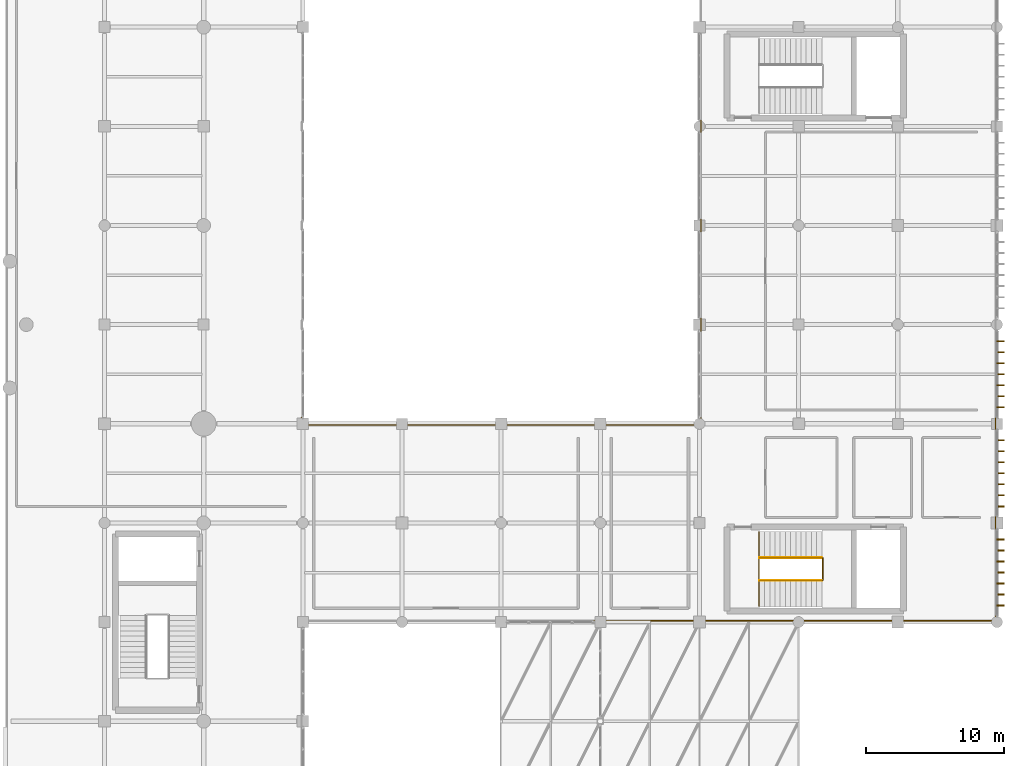
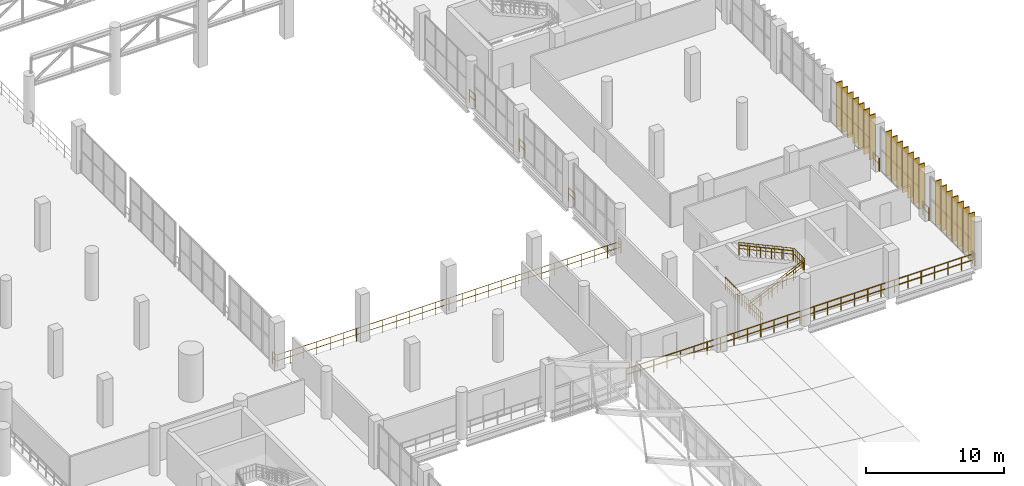
# One storey, part 151 of 153: 21 coverings, 13 railings.
"""IFC4 building model written with IfcOpenShell, lengths in metres."""

from ifc_helpers import new_model, si_unit, direction, frame, origin, origin_2d, place, context, subcontext, project, spatial, rectangle, circle, extrude, material, layer, layer_set, type_object, element, save


model = new_model("IFC4")

# Units and contexts
model_context = context("Model", 3, precision=1e-05, world=origin(), true_north=direction((0.0, 1.0)))
body_context = subcontext(model_context, "Body", "Model", "MODEL_VIEW")
ifc_project = project(units=[si_unit("LENGTHUNIT", "METRE"), si_unit("AREAUNIT", "SQUARE_METRE"), si_unit("VOLUMEUNIT", "CUBIC_METRE"), si_unit("PLANEANGLEUNIT", "RADIAN"), si_unit("MASSUNIT", "GRAM", prefix="KILO")], contexts=[model_context])

# Site, building, storey
site_placement = place(None, origin())
site = spatial("IfcSite", under=ifc_project, at=site_placement, CompositionType="ELEMENT")
building_placement = place(site_placement, origin())
building = spatial("IfcBuilding", under=site, at=building_placement, Name="Qandorah Velis Arena", CompositionType="ELEMENT")
storey_placement = place(building_placement, frame((0.0, 0.0, 5.39990234375)))
storey = spatial("IfcBuildingStorey", under=building, at=storey_placement, Name="L01", CompositionType="ELEMENT", Elevation=5.39990234375)

# Coverings
ifc_material_1 = material(Name="Champagne-bronze anodized aluminium 6063-T6", Category="aluminium")
ifc_layer = layer(ifc_material_1, 0.0849609375)
ifc_layer_set = layer_set([ifc_layer], Name="Champagne-bronze anodized aluminium 6063-T6")
covering_type = type_object("IfcCoveringType", Name="ARC-COV-FIN520", PredefinedType="CLADDING", material=ifc_layer_set)
for number, where, z_axis, x_axis, name in (
    (1, (173.052001953125, 44.39990234375, -0.009765625), (0.0, 0.0, 1.0), (1.0, 0.0, 0.0), "Vertical champagne-bronze solar fin blade WNG-E-L01-00-001"),
    (2, (173.052001953125, 45.199951171875, -0.009765625), (0.0, 0.0, 1.0), (1.0, 0.0, 0.0), "Vertical champagne-bronze solar fin blade WNG-E-L01-00-002"),
    (3, (173.052001953125, 46.0, -0.009765625), (0.0, 0.0, 1.0), (1.0, 0.0, 0.0), "Vertical champagne-bronze solar fin blade WNG-E-L01-00-003"),
    (4, (173.052001953125, 46.800048828125, -0.009765625), (0.0, 0.0, 1.0), (1.0, 0.0, 0.0), "Vertical champagne-bronze solar fin blade WNG-E-L01-00-004"),
    (5, (173.052001953125, 47.60009765625, -0.009765625), (0.0, 0.0, 1.0), (1.0, 0.0, 0.0), "Vertical champagne-bronze solar fin blade WNG-E-L01-00-005"),
    (6, (173.052001953125, 48.39990234375, -0.009765625), (0.0, 0.0, 1.0), (1.0, 0.0, 0.0), "Vertical champagne-bronze solar fin blade WNG-E-L01-00-006"),
    (7, (173.052001953125, 49.199951171875, -0.009765625), (0.0, 0.0, 1.0), (1.0, 0.0, 0.0), "Vertical champagne-bronze solar fin blade WNG-E-L01-00-007"),
    (8, (173.052001953125, 51.60009765625, -0.009765625), (0.0, 0.0, 1.0), (1.0, 0.0, 0.0), "Vertical champagne-bronze solar fin blade WNG-E-L01-01-001"),
    (9, (173.052001953125, 52.39990234375, -0.009765625), (0.0, 0.0, 1.0), (1.0, 0.0, 0.0), "Vertical champagne-bronze solar fin blade WNG-E-L01-01-002"),
    (10, (173.052001953125, 53.199951171875, -0.009765625), (0.0, 0.0, 1.0), (1.0, 0.0, 0.0), "Vertical champagne-bronze solar fin blade WNG-E-L01-01-003"),
    (11, (173.052001953125, 54.0, -0.009765625), (0.0, 0.0, 1.0), (1.0, 0.0, 0.0), "Vertical champagne-bronze solar fin blade WNG-E-L01-01-004"),
    (12, (173.052001953125, 54.800048828125, -0.009765625), (0.0, 0.0, 1.0), (1.0, 0.0, 0.0), "Vertical champagne-bronze solar fin blade WNG-E-L01-01-005"),
    (13, (173.052001953125, 55.60009765625, -0.009765625), (0.0, 0.0, 1.0), (1.0, 0.0, 0.0), "Vertical champagne-bronze solar fin blade WNG-E-L01-01-006"),
    (14, (173.052001953125, 56.39990234375, -0.009765625), (0.0, 0.0, 1.0), (1.0, 0.0, 0.0), "Vertical champagne-bronze solar fin blade WNG-E-L01-01-007"),
    (15, (173.052001953125, 58.800048828125, -0.009765625), (0.0, 0.0, 1.0), (1.0, 0.0, 0.0), "Vertical champagne-bronze solar fin blade WNG-E-L01-02-001"),
    (16, (173.052001953125, 59.60009765625, -0.009765625), (0.0, 0.0, 1.0), (1.0, 0.0, 0.0), "Vertical champagne-bronze solar fin blade WNG-E-L01-02-002"),
    (17, (173.052001953125, 60.39990234375, -0.009765625), (0.0, 0.0, 1.0), (1.0, 0.0, 0.0), "Vertical champagne-bronze solar fin blade WNG-E-L01-02-003"),
    (18, (173.052001953125, 61.199951171875, -0.009765625), (0.0, 0.0, 1.0), (1.0, 0.0, 0.0), "Vertical champagne-bronze solar fin blade WNG-E-L01-02-004"),
    (19, (173.052001953125, 62.0, -0.009765625), (0.0, 0.0, 1.0), (1.0, 0.0, 0.0), "Vertical champagne-bronze solar fin blade WNG-E-L01-02-005"),
    (20, (173.052001953125, 62.800048828125, -0.009765625), (0.0, 0.0, 1.0), (1.0, 0.0, 0.0), "Vertical champagne-bronze solar fin blade WNG-E-L01-02-006"),
    (21, (173.052001953125, 63.60009765625, -0.009765625), (0.0, 0.0, 1.0), (1.0, 0.0, 0.0), "Vertical champagne-bronze solar fin blade WNG-E-L01-02-007"),
):
    element("IfcCovering", number, at=place(storey_placement, frame(where, z_axis=z_axis, x_axis=x_axis)), inside=storey, type_object=covering_type, Name=name, PredefinedType="CLADDING", context=body_context, shape_type="SweptSolid", body=[
        extrude(rectangle(XDim=0.52001953125, YDim=0.0849609375, at=origin_2d()), origin(), (0.0, 0.0, 1.0), 3.93994140625),
    ])

# Railings
ifc_material_2 = material(Name="Stainless steel 316", Category="steel")
railing_type_1 = type_object("IfcRailingType", Name="ARC-RL-GRD1150", PredefinedType="GUARDRAIL", material=ifc_material_2)
railing_1_placement = place(storey_placement, frame((155.510009765625, 44.360107421875, 0.0)))
element("IfcRailing", 22, at=railing_1_placement, inside=storey, type_object=railing_type_1, Name="Stair ST7 landing well-slot guardrail L01", PredefinedType="GUARDRAIL", context=body_context, shape_type="SweptSolid", body=[
    extrude(circle(Radius=0.02392578125, at=origin_2d()), frame((0.0, 0.0, 1.1259765625), z_axis=(0.0, 1.0, 0.0), x_axis=(-1.0, 0.0, 0.0)), (0.0, 0.0, 1.0), 5.3798828125),
    extrude(circle(Radius=0.02392578125, at=origin_2d()), frame((0.0, 0.0, 0.597900390625), z_axis=(0.0, 1.0, 0.0), x_axis=(-1.0, 0.0, 0.0)), (0.0, 0.0, 1.0), 5.3798828125),
    extrude(circle(Radius=0.02099609375, at=origin_2d()), origin(), (0.0, 0.0, 1.0), 1.101806640625),
    extrude(circle(Radius=0.02099609375, at=origin_2d()), frame((0.0, 0.298828125, 0.0)), (0.0, 0.0, 1.0), 1.101806640625),
    extrude(circle(Radius=0.02099609375, at=origin_2d()), frame((0.0, 0.59765625, 0.0)), (0.0, 0.0, 1.0), 1.101806640625),
    extrude(circle(Radius=0.02099609375, at=origin_2d()), frame((0.0, 0.896728515625, 0.0)), (0.0, 0.0, 1.0), 1.101806640625),
    extrude(circle(Radius=0.02099609375, at=origin_2d()), frame((0.0, 1.195556640625, 0.0)), (0.0, 0.0, 1.0), 1.101806640625),
    extrude(circle(Radius=0.02099609375, at=origin_2d()), frame((0.0, 1.494384765625, 0.0)), (0.0, 0.0, 1.0), 1.101806640625),
    extrude(circle(Radius=0.02099609375, at=origin_2d()), frame((0.0, 1.793212890625, 0.0)), (0.0, 0.0, 1.0), 1.101806640625),
    extrude(circle(Radius=0.02099609375, at=origin_2d()), frame((0.0, 2.09228515625, 0.0)), (0.0, 0.0, 1.0), 1.101806640625),
    extrude(circle(Radius=0.02099609375, at=origin_2d()), frame((0.0, 2.39111328125, 0.0)), (0.0, 0.0, 1.0), 1.101806640625),
    extrude(circle(Radius=0.02099609375, at=origin_2d()), frame((0.0, 2.68994140625, 0.0)), (0.0, 0.0, 1.0), 1.101806640625),
    extrude(circle(Radius=0.02099609375, at=origin_2d()), frame((0.0, 2.98876953125, 0.0)), (0.0, 0.0, 1.0), 1.101806640625),
    extrude(circle(Radius=0.02099609375, at=origin_2d()), frame((0.0, 3.28759765625, 0.0)), (0.0, 0.0, 1.0), 1.101806640625),
    extrude(circle(Radius=0.02099609375, at=origin_2d()), frame((0.0, 3.586669921875, 0.0)), (0.0, 0.0, 1.0), 1.101806640625),
    extrude(circle(Radius=0.02099609375, at=origin_2d()), frame((0.0, 3.885498046875, 0.0)), (0.0, 0.0, 1.0), 1.101806640625),
    extrude(circle(Radius=0.02099609375, at=origin_2d()), frame((0.0, 4.184326171875, 0.0)), (0.0, 0.0, 1.0), 1.101806640625),
    extrude(circle(Radius=0.02099609375, at=origin_2d()), frame((0.0, 4.483154296875, 0.0)), (0.0, 0.0, 1.0), 1.101806640625),
    extrude(circle(Radius=0.02099609375, at=origin_2d()), frame((0.0, 4.7822265625, 0.0)), (0.0, 0.0, 1.0), 1.101806640625),
    extrude(circle(Radius=0.02099609375, at=origin_2d()), frame((0.0, 5.0810546875, 0.0)), (0.0, 0.0, 1.0), 1.101806640625),
    extrude(circle(Radius=0.02099609375, at=origin_2d()), frame((0.0, 5.3798828125, 0.0)), (0.0, 0.0, 1.0), 1.101806640625),
])
railing_2_placement = place(storey_placement, frame((160.14599609375, 46.239990234375, 2.10009765625)))
element("IfcRailing", 23, at=railing_2_placement, inside=storey, type_object=railing_type_1, Name="Stair ST7 well guardrail (L01)", PredefinedType="GUARDRAIL", context=body_context, shape_type="SweptSolid", body=[
    extrude(circle(Radius=0.02392578125, at=origin_2d()), frame((0.0, 0.0, 1.1259765625), z_axis=(0.0, 1.0, 0.0), x_axis=(-1.0, 0.0, 0.0)), (0.0, 0.0, 1.0), 1.6201171875),
    extrude(circle(Radius=0.02392578125, at=origin_2d()), frame((0.0, 0.0, 0.597900390625), z_axis=(0.0, 1.0, 0.0), x_axis=(-1.0, 0.0, 0.0)), (0.0, 0.0, 1.0), 1.6201171875),
    extrude(circle(Radius=0.02099609375, at=origin_2d()), origin(), (0.0, 0.0, 1.0), 1.101806640625),
    extrude(circle(Radius=0.02099609375, at=origin_2d()), frame((0.0, 0.27001953125, 0.0)), (0.0, 0.0, 1.0), 1.101806640625),
    extrude(circle(Radius=0.02099609375, at=origin_2d()), frame((0.0, 0.5400390625, 0.0)), (0.0, 0.0, 1.0), 1.101806640625),
    extrude(circle(Radius=0.02099609375, at=origin_2d()), frame((0.0, 0.81005859375, 0.0)), (0.0, 0.0, 1.0), 1.101806640625),
    extrude(circle(Radius=0.02099609375, at=origin_2d()), frame((0.0, 1.080078125, 0.0)), (0.0, 0.0, 1.0), 1.101806640625),
    extrude(circle(Radius=0.02099609375, at=origin_2d()), frame((0.0, 1.35009765625, 0.0)), (0.0, 0.0, 1.0), 1.101806640625),
    extrude(circle(Radius=0.02099609375, at=origin_2d()), frame((0.0, 1.6201171875, 0.0)), (0.0, 0.0, 1.0), 1.101806640625),
])
railing_3_placement = place(storey_placement, frame((155.550048828125, 46.22998046875, 0.0)))
element("IfcRailing", 24, at=railing_3_placement, inside=storey, type_object=railing_type_1, Name="Stair ST7 inner flight 1 guardrail (L01)", PredefinedType="GUARDRAIL", context=body_context, shape_type="SweptSolid", body=[
    extrude(circle(Radius=0.02392578125, at=origin_2d()), frame((0.0, 0.0, 1.1259765625), z_axis=(0.907455527081, 0.0, 0.420148148122), x_axis=(0.0, 1.0, 0.0)), (0.0, 0.0, 1.0), 4.99853515625),
    extrude(circle(Radius=0.02392578125, at=origin_2d()), frame((0.0, 0.0, 0.597900390625), z_axis=(0.907455527081, 0.0, 0.420148148122), x_axis=(0.0, 1.0, 0.0)), (0.0, 0.0, 1.0), 4.99853515625),
    extrude(circle(Radius=0.02099609375, at=origin_2d()), origin(), (0.0, 0.0, 1.0), 1.101806640625),
    extrude(circle(Radius=0.02099609375, at=origin_2d()), frame((0.755859375, 0.0, 0.35009765625)), (0.0, 0.0, 1.0), 1.101806640625),
    extrude(circle(Radius=0.02099609375, at=origin_2d()), frame((1.511962890625, 0.0, 0.699951171875)), (0.0, 0.0, 1.0), 1.101806640625),
    extrude(circle(Radius=0.02099609375, at=origin_2d()), frame((2.26806640625, 0.0, 1.050048828125)), (0.0, 0.0, 1.0), 1.101806640625),
    extrude(circle(Radius=0.02099609375, at=origin_2d()), frame((3.02392578125, 0.0, 1.400146484375)), (0.0, 0.0, 1.0), 1.101806640625),
    extrude(circle(Radius=0.02099609375, at=origin_2d()), frame((3.77978515625, 0.0, 1.75)), (0.0, 0.0, 1.0), 1.101806640625),
    extrude(circle(Radius=0.02099609375, at=origin_2d()), frame((4.535888671875, 0.0, 2.10009765625)), (0.0, 0.0, 1.0), 1.101806640625),
])
railing_4_placement = place(storey_placement, frame((160.0859375, 47.8701171875, 2.10009765625)))
element("IfcRailing", 25, at=railing_4_placement, inside=storey, type_object=railing_type_1, Name="Stair ST7 inner flight 2 guardrail (L01)", PredefinedType="GUARDRAIL", context=body_context, shape_type="SweptSolid", body=[
    extrude(circle(Radius=0.02392578125, at=origin_2d()), frame((0.0, 0.0, 1.1259765625), z_axis=(-0.907455527081, 0.0, 0.420148148122), x_axis=(0.0, -1.0, 0.0)), (0.0, 0.0, 1.0), 4.99853515625),
    extrude(circle(Radius=0.02392578125, at=origin_2d()), frame((0.0, 0.0, 0.597900390625), z_axis=(-0.907455527081, 0.0, 0.420148148122), x_axis=(0.0, -1.0, 0.0)), (0.0, 0.0, 1.0), 4.99853515625),
    extrude(circle(Radius=0.02099609375, at=origin_2d()), origin(), (0.0, 0.0, 1.0), 1.101806640625),
    extrude(circle(Radius=0.02099609375, at=origin_2d()), frame((-0.755859375, 0.0, 0.35009765625)), (0.0, 0.0, 1.0), 1.101806640625),
    extrude(circle(Radius=0.02099609375, at=origin_2d()), frame((-1.511962890625, 0.0, 0.699951171875)), (0.0, 0.0, 1.0), 1.101806640625),
    extrude(circle(Radius=0.02099609375, at=origin_2d()), frame((-2.26806640625, 0.0, 1.050048828125)), (0.0, 0.0, 1.0), 1.101806640625),
    extrude(circle(Radius=0.02099609375, at=origin_2d()), frame((-3.02392578125, 0.0, 1.400146484375)), (0.0, 0.0, 1.0), 1.101806640625),
    extrude(circle(Radius=0.02099609375, at=origin_2d()), frame((-3.77978515625, 0.0, 1.75)), (0.0, 0.0, 1.0), 1.101806640625),
    extrude(circle(Radius=0.02099609375, at=origin_2d()), frame((-4.535888671875, 0.0, 2.10009765625)), (0.0, 0.0, 1.0), 1.101806640625),
])
railing_5_placement = place(storey_placement, frame((122.300048828125, 58.050048828125, 0.0)))
element("IfcRailing", 26, at=railing_5_placement, inside=storey, type_object=railing_type_1, Name="Slab edge safety guardrail L01-111", PredefinedType="GUARDRAIL", context=body_context, shape_type="SweptSolid", body=[
    extrude(circle(Radius=0.02392578125, at=origin_2d()), frame((0.0, 0.0, 1.1259765625), z_axis=(0.0, -1.0, 0.0), x_axis=(1.0, 0.0, 0.0)), (0.0, 0.0, 1.0), 0.449951171875),
    extrude(circle(Radius=0.02392578125, at=origin_2d()), frame((0.0, 0.0, 0.597900390625), z_axis=(0.0, -1.0, 0.0), x_axis=(1.0, 0.0, 0.0)), (0.0, 0.0, 1.0), 0.449951171875),
    extrude(circle(Radius=0.02392578125, at=origin_2d()), frame((0.0, -0.449951171875, 1.1259765625), z_axis=(0.634493378388, -0.772928297309, 0.0), x_axis=(0.772928297309, 0.634493378388, 0.0)), (0.0, 0.0, 1.0), 0.126953125),
    extrude(circle(Radius=0.02392578125, at=origin_2d()), frame((0.0, -0.449951171875, 0.597900390625), z_axis=(0.634493378388, -0.772928297309, 0.0), x_axis=(0.772928297309, 0.634493378388, 0.0)), (0.0, 0.0, 1.0), 0.126953125),
    extrude(circle(Radius=0.02392578125, at=origin_2d()), frame((0.08056640625, -0.548095703125, 1.1259765625), z_axis=(0.999999997704, -6.7771339e-05, 0.0), x_axis=(6.7771339e-05, 0.999999997704, 0.0)), (0.0, 0.0, 1.0), 28.8193359375),
    extrude(circle(Radius=0.02392578125, at=origin_2d()), frame((0.08056640625, -0.548095703125, 0.597900390625), z_axis=(0.999999997704, -6.7771339e-05, 0.0), x_axis=(6.7771339e-05, 0.999999997704, 0.0)), (0.0, 0.0, 1.0), 28.8193359375),
    extrude(circle(Radius=0.02392578125, at=origin_2d()), frame((28.89990234375, -0.550048828125, 1.1259765625), z_axis=(0.772928297309, 0.634493378388, 0.0), x_axis=(-0.634493378388, 0.772928297309, 0.0)), (0.0, 0.0, 1.0), 0.126953125),
    extrude(circle(Radius=0.02392578125, at=origin_2d()), frame((28.89990234375, -0.550048828125, 0.597900390625), z_axis=(0.772928297309, 0.634493378388, 0.0), x_axis=(-0.634493378388, 0.772928297309, 0.0)), (0.0, 0.0, 1.0), 0.126953125),
    extrude(circle(Radius=0.02392578125, at=origin_2d()), frame((28.998046875, -0.469482421875, 1.1259765625), z_axis=(0.004395561932, 0.999990339471, 0.0), x_axis=(-0.999990339471, 0.004395561932, 0.0)), (0.0, 0.0, 1.0), 0.4443359375),
    extrude(circle(Radius=0.02392578125, at=origin_2d()), frame((28.998046875, -0.469482421875, 0.597900390625), z_axis=(0.004395561932, 0.999990339471, 0.0), x_axis=(-0.999990339471, 0.004395561932, 0.0)), (0.0, 0.0, 1.0), 0.4443359375),
    extrude(circle(Radius=0.02099609375, at=origin_2d()), origin(), (0.0, 0.0, 1.0), 1.101806640625),
    extrude(circle(Radius=0.02099609375, at=origin_2d()), frame((0.0, -0.449951171875, 0.0)), (0.0, 0.0, 1.0), 1.101806640625),
    extrude(circle(Radius=0.02099609375, at=origin_2d()), frame((0.08056640625, -0.548095703125, 0.0)), (0.0, 0.0, 1.0), 1.101806640625),
    extrude(circle(Radius=0.02099609375, at=origin_2d()), frame((1.18896484375, -0.548095703125, 0.0)), (0.0, 0.0, 1.0), 1.101806640625),
    extrude(circle(Radius=0.02099609375, at=origin_2d()), frame((2.29736328125, -0.54833984375, 0.0)), (0.0, 0.0, 1.0), 1.101806640625),
    extrude(circle(Radius=0.02099609375, at=origin_2d()), frame((3.40576171875, -0.54833984375, 0.0)), (0.0, 0.0, 1.0), 1.101806640625),
    extrude(circle(Radius=0.02099609375, at=origin_2d()), frame((4.514404296875, -0.54833984375, 0.0)), (0.0, 0.0, 1.0), 1.101806640625),
    extrude(circle(Radius=0.02099609375, at=origin_2d()), frame((5.622802734375, -0.548583984375, 0.0)), (0.0, 0.0, 1.0), 1.101806640625),
    extrude(circle(Radius=0.02099609375, at=origin_2d()), frame((6.731201171875, -0.548583984375, 0.0)), (0.0, 0.0, 1.0), 1.101806640625),
    extrude(circle(Radius=0.02099609375, at=origin_2d()), frame((7.839599609375, -0.548583984375, 0.0)), (0.0, 0.0, 1.0), 1.101806640625),
    extrude(circle(Radius=0.02099609375, at=origin_2d()), frame((8.947998046875, -0.548583984375, 0.0)), (0.0, 0.0, 1.0), 1.101806640625),
    extrude(circle(Radius=0.02099609375, at=origin_2d()), frame((10.056396484375, -0.548828125, 0.0)), (0.0, 0.0, 1.0), 1.101806640625),
    extrude(circle(Radius=0.02099609375, at=origin_2d()), frame((11.1650390625, -0.548828125, 0.0)), (0.0, 0.0, 1.0), 1.101806640625),
    extrude(circle(Radius=0.02099609375, at=origin_2d()), frame((12.2734375, -0.548828125, 0.0)), (0.0, 0.0, 1.0), 1.101806640625),
    extrude(circle(Radius=0.02099609375, at=origin_2d()), frame((13.3818359375, -0.549072265625, 0.0)), (0.0, 0.0, 1.0), 1.101806640625),
    extrude(circle(Radius=0.02099609375, at=origin_2d()), frame((14.490234375, -0.549072265625, 0.0)), (0.0, 0.0, 1.0), 1.101806640625),
    extrude(circle(Radius=0.02099609375, at=origin_2d()), frame((15.5986328125, -0.549072265625, 0.0)), (0.0, 0.0, 1.0), 1.101806640625),
    extrude(circle(Radius=0.02099609375, at=origin_2d()), frame((16.70703125, -0.54931640625, 0.0)), (0.0, 0.0, 1.0), 1.101806640625),
    extrude(circle(Radius=0.02099609375, at=origin_2d()), frame((17.8154296875, -0.54931640625, 0.0)), (0.0, 0.0, 1.0), 1.101806640625),
    extrude(circle(Radius=0.02099609375, at=origin_2d()), frame((18.924072265625, -0.54931640625, 0.0)), (0.0, 0.0, 1.0), 1.101806640625),
    extrude(circle(Radius=0.02099609375, at=origin_2d()), frame((20.032470703125, -0.549560546875, 0.0)), (0.0, 0.0, 1.0), 1.101806640625),
    extrude(circle(Radius=0.02099609375, at=origin_2d()), frame((21.140869140625, -0.549560546875, 0.0)), (0.0, 0.0, 1.0), 1.101806640625),
    extrude(circle(Radius=0.02099609375, at=origin_2d()), frame((22.249267578125, -0.549560546875, 0.0)), (0.0, 0.0, 1.0), 1.101806640625),
    extrude(circle(Radius=0.02099609375, at=origin_2d()), frame((23.357666015625, -0.549560546875, 0.0)), (0.0, 0.0, 1.0), 1.101806640625),
    extrude(circle(Radius=0.02099609375, at=origin_2d()), frame((24.466064453125, -0.5498046875, 0.0)), (0.0, 0.0, 1.0), 1.101806640625),
    extrude(circle(Radius=0.02099609375, at=origin_2d()), frame((25.57470703125, -0.5498046875, 0.0)), (0.0, 0.0, 1.0), 1.101806640625),
    extrude(circle(Radius=0.02099609375, at=origin_2d()), frame((26.68310546875, -0.5498046875, 0.0)), (0.0, 0.0, 1.0), 1.101806640625),
    extrude(circle(Radius=0.02099609375, at=origin_2d()), frame((27.79150390625, -0.550048828125, 0.0)), (0.0, 0.0, 1.0), 1.101806640625),
    extrude(circle(Radius=0.02099609375, at=origin_2d()), frame((28.89990234375, -0.550048828125, 0.0)), (0.0, 0.0, 1.0), 1.101806640625),
    extrude(circle(Radius=0.02099609375, at=origin_2d()), frame((28.998046875, -0.469482421875, 0.0)), (0.0, 0.0, 1.0), 1.101806640625),
    extrude(circle(Radius=0.02099609375, at=origin_2d()), frame((29.0, -0.025146484375, 0.0)), (0.0, 0.0, 1.0), 1.101806640625),
])
railing_6_placement = place(storey_placement, frame((151.300048828125, 64.35009765625, 0.0)))
element("IfcRailing", 27, at=railing_6_placement, inside=storey, type_object=railing_type_1, Name="Slab edge safety guardrail L01-112", PredefinedType="GUARDRAIL", context=body_context, shape_type="SweptSolid", body=[
    extrude(circle(Radius=0.02392578125, at=origin_2d()), frame((0.0, 0.0, 1.1259765625), z_axis=(0.0, 1.0, 0.0), x_axis=(-1.0, 0.0, 0.0)), (0.0, 0.0, 1.0), 0.89990234375),
    extrude(circle(Radius=0.02392578125, at=origin_2d()), frame((0.0, 0.0, 0.597900390625), z_axis=(0.0, 1.0, 0.0), x_axis=(-1.0, 0.0, 0.0)), (0.0, 0.0, 1.0), 0.89990234375),
    extrude(circle(Radius=0.02099609375, at=origin_2d()), origin(), (0.0, 0.0, 1.0), 1.101806640625),
    extrude(circle(Radius=0.02099609375, at=origin_2d()), frame((0.0, 0.89990234375, 0.0)), (0.0, 0.0, 1.0), 1.101806640625),
])
for number, where, name in (
    (28, (151.300048828125, 71.574951171875, 0.0), "Slab edge safety guardrail L01-113"),
    (29, (151.300048828125, 78.77490234375, 0.0), "Slab edge safety guardrail L01-114"),
):
    element("IfcRailing", number, at=place(storey_placement, frame(where)), inside=storey, type_object=railing_type_1, Name=name, PredefinedType="GUARDRAIL", context=body_context, shape_type="SweptSolid", body=[
        extrude(circle(Radius=0.02392578125, at=origin_2d()), frame((0.0, 0.0, 1.1259765625), z_axis=(0.0, 1.0, 0.0), x_axis=(-1.0, 0.0, 0.0)), (0.0, 0.0, 1.0), 0.85009765625),
        extrude(circle(Radius=0.02392578125, at=origin_2d()), frame((0.0, 0.0, 0.597900390625), z_axis=(0.0, 1.0, 0.0), x_axis=(-1.0, 0.0, 0.0)), (0.0, 0.0, 1.0), 0.85009765625),
        extrude(circle(Radius=0.02099609375, at=origin_2d()), origin(), (0.0, 0.0, 1.0), 1.101806640625),
        extrude(circle(Radius=0.02099609375, at=origin_2d()), frame((0.0, 0.85009765625, 0.0)), (0.0, 0.0, 1.0), 1.101806640625),
    ])
railing_7_placement = place(storey_placement, frame((172.699951171875, 58.02490234375, 0.0)))
element("IfcRailing", 30, at=railing_7_placement, inside=storey, type_object=railing_type_1, Name="Slab edge safety guardrail L01-120", PredefinedType="GUARDRAIL", context=body_context, shape_type="SweptSolid", body=[
    extrude(circle(Radius=0.02392578125, at=origin_2d()), frame((0.0, 0.0, 1.1259765625), z_axis=(0.0, -1.0, 0.0), x_axis=(1.0, 0.0, 0.0)), (0.0, 0.0, 1.0), 0.849853515625),
    extrude(circle(Radius=0.02392578125, at=origin_2d()), frame((0.0, 0.0, 0.597900390625), z_axis=(0.0, -1.0, 0.0), x_axis=(1.0, 0.0, 0.0)), (0.0, 0.0, 1.0), 0.849853515625),
    extrude(circle(Radius=0.02099609375, at=origin_2d()), origin(), (0.0, 0.0, 1.0), 1.101806640625),
    extrude(circle(Radius=0.02099609375, at=origin_2d()), frame((0.0, -0.849853515625, 0.0)), (0.0, 0.0, 1.0), 1.101806640625),
])
railing_8_placement = place(storey_placement, frame((172.699951171875, 50.85009765625, 0.0)))
element("IfcRailing", 31, at=railing_8_placement, inside=storey, type_object=railing_type_1, Name="Slab edge safety guardrail L01-121", PredefinedType="GUARDRAIL", context=body_context, shape_type="SweptSolid", body=[
    extrude(circle(Radius=0.02392578125, at=origin_2d()), frame((0.0, 0.0, 1.1259765625), z_axis=(0.0, -1.0, 0.0), x_axis=(1.0, 0.0, 0.0)), (0.0, 0.0, 1.0), 0.900146484375),
    extrude(circle(Radius=0.02392578125, at=origin_2d()), frame((0.0, 0.0, 0.597900390625), z_axis=(0.0, -1.0, 0.0), x_axis=(1.0, 0.0, 0.0)), (0.0, 0.0, 1.0), 0.900146484375),
    extrude(circle(Radius=0.02099609375, at=origin_2d()), origin(), (0.0, 0.0, 1.0), 1.101806640625),
    extrude(circle(Radius=0.02099609375, at=origin_2d()), frame((0.0, -0.900146484375, 0.0)), (0.0, 0.0, 1.0), 1.101806640625),
])
railing_9_placement = place(storey_placement, frame((172.699951171875, 43.625, 0.0)))
element("IfcRailing", 32, at=railing_9_placement, inside=storey, type_object=railing_type_1, Name="Slab edge safety guardrail L01-122", PredefinedType="GUARDRAIL", context=body_context, shape_type="SweptSolid", body=[
    extrude(circle(Radius=0.02392578125, at=origin_2d()), frame((0.0, 0.0, 1.1259765625), z_axis=(0.0, -1.0, 0.0), x_axis=(1.0, 0.0, 0.0)), (0.0, 0.0, 1.0), 0.324951171875),
    extrude(circle(Radius=0.02392578125, at=origin_2d()), frame((0.0, 0.0, 0.597900390625), z_axis=(0.0, -1.0, 0.0), x_axis=(1.0, 0.0, 0.0)), (0.0, 0.0, 1.0), 0.324951171875),
    extrude(circle(Radius=0.02392578125, at=origin_2d()), frame((0.0, -0.324951171875, 1.1259765625), z_axis=(-1.0, 0.0, 0.0), x_axis=(0.0, -1.0, 0.0)), (0.0, 0.0, 1.0), 29.175048828125),
    extrude(circle(Radius=0.02392578125, at=origin_2d()), frame((0.0, -0.324951171875, 0.597900390625), z_axis=(-1.0, 0.0, 0.0), x_axis=(0.0, -1.0, 0.0)), (0.0, 0.0, 1.0), 29.175048828125),
    extrude(circle(Radius=0.02099609375, at=origin_2d()), origin(), (0.0, 0.0, 1.0), 1.101806640625),
    extrude(circle(Radius=0.02099609375, at=origin_2d()), frame((0.0, -0.324951171875, 0.0)), (0.0, 0.0, 1.0), 1.101806640625),
    extrude(circle(Radius=0.02099609375, at=origin_2d()), frame((-1.1220703125, -0.324951171875, 0.0)), (0.0, 0.0, 1.0), 1.101806640625),
    extrude(circle(Radius=0.02099609375, at=origin_2d()), frame((-2.244140625, -0.324951171875, 0.0)), (0.0, 0.0, 1.0), 1.101806640625),
    extrude(circle(Radius=0.02099609375, at=origin_2d()), frame((-3.366455078125, -0.324951171875, 0.0)), (0.0, 0.0, 1.0), 1.101806640625),
    extrude(circle(Radius=0.02099609375, at=origin_2d()), frame((-4.488525390625, -0.324951171875, 0.0)), (0.0, 0.0, 1.0), 1.101806640625),
    extrude(circle(Radius=0.02099609375, at=origin_2d()), frame((-5.610595703125, -0.324951171875, 0.0)), (0.0, 0.0, 1.0), 1.101806640625),
    extrude(circle(Radius=0.02099609375, at=origin_2d()), frame((-6.732666015625, -0.324951171875, 0.0)), (0.0, 0.0, 1.0), 1.101806640625),
    extrude(circle(Radius=0.02099609375, at=origin_2d()), frame((-7.854736328125, -0.324951171875, 0.0)), (0.0, 0.0, 1.0), 1.101806640625),
    extrude(circle(Radius=0.02099609375, at=origin_2d()), frame((-8.97705078125, -0.324951171875, 0.0)), (0.0, 0.0, 1.0), 1.101806640625),
    extrude(circle(Radius=0.02099609375, at=origin_2d()), frame((-10.09912109375, -0.324951171875, 0.0)), (0.0, 0.0, 1.0), 1.101806640625),
    extrude(circle(Radius=0.02099609375, at=origin_2d()), frame((-11.22119140625, -0.324951171875, 0.0)), (0.0, 0.0, 1.0), 1.101806640625),
    extrude(circle(Radius=0.02099609375, at=origin_2d()), frame((-12.34326171875, -0.324951171875, 0.0)), (0.0, 0.0, 1.0), 1.101806640625),
    extrude(circle(Radius=0.02099609375, at=origin_2d()), frame((-13.46533203125, -0.324951171875, 0.0)), (0.0, 0.0, 1.0), 1.101806640625),
    extrude(circle(Radius=0.02099609375, at=origin_2d()), frame((-14.58740234375, -0.324951171875, 0.0)), (0.0, 0.0, 1.0), 1.101806640625),
    extrude(circle(Radius=0.02099609375, at=origin_2d()), frame((-15.709716796875, -0.324951171875, 0.0)), (0.0, 0.0, 1.0), 1.101806640625),
    extrude(circle(Radius=0.02099609375, at=origin_2d()), frame((-16.831787109375, -0.324951171875, 0.0)), (0.0, 0.0, 1.0), 1.101806640625),
    extrude(circle(Radius=0.02099609375, at=origin_2d()), frame((-17.953857421875, -0.324951171875, 0.0)), (0.0, 0.0, 1.0), 1.101806640625),
    extrude(circle(Radius=0.02099609375, at=origin_2d()), frame((-19.075927734375, -0.324951171875, 0.0)), (0.0, 0.0, 1.0), 1.101806640625),
    extrude(circle(Radius=0.02099609375, at=origin_2d()), frame((-20.197998046875, -0.324951171875, 0.0)), (0.0, 0.0, 1.0), 1.101806640625),
    extrude(circle(Radius=0.02099609375, at=origin_2d()), frame((-21.3203125, -0.324951171875, 0.0)), (0.0, 0.0, 1.0), 1.101806640625),
    extrude(circle(Radius=0.02099609375, at=origin_2d()), frame((-22.4423828125, -0.324951171875, 0.0)), (0.0, 0.0, 1.0), 1.101806640625),
    extrude(circle(Radius=0.02099609375, at=origin_2d()), frame((-23.564453125, -0.324951171875, 0.0)), (0.0, 0.0, 1.0), 1.101806640625),
    extrude(circle(Radius=0.02099609375, at=origin_2d()), frame((-24.6865234375, -0.324951171875, 0.0)), (0.0, 0.0, 1.0), 1.101806640625),
    extrude(circle(Radius=0.02099609375, at=origin_2d()), frame((-25.80859375, -0.324951171875, 0.0)), (0.0, 0.0, 1.0), 1.101806640625),
    extrude(circle(Radius=0.02099609375, at=origin_2d()), frame((-26.930908203125, -0.324951171875, 0.0)), (0.0, 0.0, 1.0), 1.101806640625),
    extrude(circle(Radius=0.02099609375, at=origin_2d()), frame((-28.052978515625, -0.324951171875, 0.0)), (0.0, 0.0, 1.0), 1.101806640625),
    extrude(circle(Radius=0.02099609375, at=origin_2d()), frame((-29.175048828125, -0.324951171875, 0.0)), (0.0, 0.0, 1.0), 1.101806640625),
])
railing_type_2 = type_object("IfcRailingType", Name="ARC-RL-HND920", PredefinedType="HANDRAIL", material=ifc_material_2)
railing_10_placement = place(storey_placement, frame((155.550048828125, 46.22998046875, 0.0)))
element("IfcRailing", 33, at=railing_10_placement, inside=storey, type_object=railing_type_2, Name="Stair ST7 inner handrail 1 (L01)", PredefinedType="HANDRAIL", context=body_context, shape_type="SweptSolid", body=[
    extrude(circle(Radius=0.02392578125, at=origin_2d()), frame((0.0, 0.0, 0.89599609375), z_axis=(0.907455527081, 0.0, 0.420148148122), x_axis=(0.0, 1.0, 0.0)), (0.0, 0.0, 1.0), 4.99853515625),
    extrude(circle(Radius=0.02099609375, at=origin_2d()), origin(), (0.0, 0.0, 1.0), 0.871826171875),
    extrude(circle(Radius=0.02099609375, at=origin_2d()), frame((0.9072265625, 0.0, 0.419921875)), (0.0, 0.0, 1.0), 0.871826171875),
    extrude(circle(Radius=0.02099609375, at=origin_2d()), frame((1.814453125, 0.0, 0.840087890625)), (0.0, 0.0, 1.0), 0.871826171875),
    extrude(circle(Radius=0.02099609375, at=origin_2d()), frame((2.721435546875, 0.0, 1.260009765625)), (0.0, 0.0, 1.0), 0.871826171875),
    extrude(circle(Radius=0.02099609375, at=origin_2d()), frame((3.628662109375, 0.0, 1.68017578125)), (0.0, 0.0, 1.0), 0.871826171875),
    extrude(circle(Radius=0.02099609375, at=origin_2d()), frame((4.535888671875, 0.0, 2.10009765625)), (0.0, 0.0, 1.0), 0.871826171875),
])
railing_11_placement = place(storey_placement, frame((160.0859375, 47.8701171875, 2.10009765625)))
element("IfcRailing", 34, at=railing_11_placement, inside=storey, type_object=railing_type_2, Name="Stair ST7 inner handrail 2 (L01)", PredefinedType="HANDRAIL", context=body_context, shape_type="SweptSolid", body=[
    extrude(circle(Radius=0.02392578125, at=origin_2d()), frame((0.0, 0.0, 0.89599609375), z_axis=(-0.907455527081, 0.0, 0.420148148122), x_axis=(0.0, -1.0, 0.0)), (0.0, 0.0, 1.0), 4.99853515625),
    extrude(circle(Radius=0.02099609375, at=origin_2d()), origin(), (0.0, 0.0, 1.0), 0.871826171875),
    extrude(circle(Radius=0.02099609375, at=origin_2d()), frame((-0.9072265625, 0.0, 0.419921875)), (0.0, 0.0, 1.0), 0.871826171875),
    extrude(circle(Radius=0.02099609375, at=origin_2d()), frame((-1.814453125, 0.0, 0.840087890625)), (0.0, 0.0, 1.0), 0.871826171875),
    extrude(circle(Radius=0.02099609375, at=origin_2d()), frame((-2.721435546875, 0.0, 1.260009765625)), (0.0, 0.0, 1.0), 0.871826171875),
    extrude(circle(Radius=0.02099609375, at=origin_2d()), frame((-3.628662109375, 0.0, 1.68017578125)), (0.0, 0.0, 1.0), 0.871826171875),
    extrude(circle(Radius=0.02099609375, at=origin_2d()), frame((-4.535888671875, 0.0, 2.10009765625)), (0.0, 0.0, 1.0), 0.871826171875),
])

save(model, "model.ifc")
